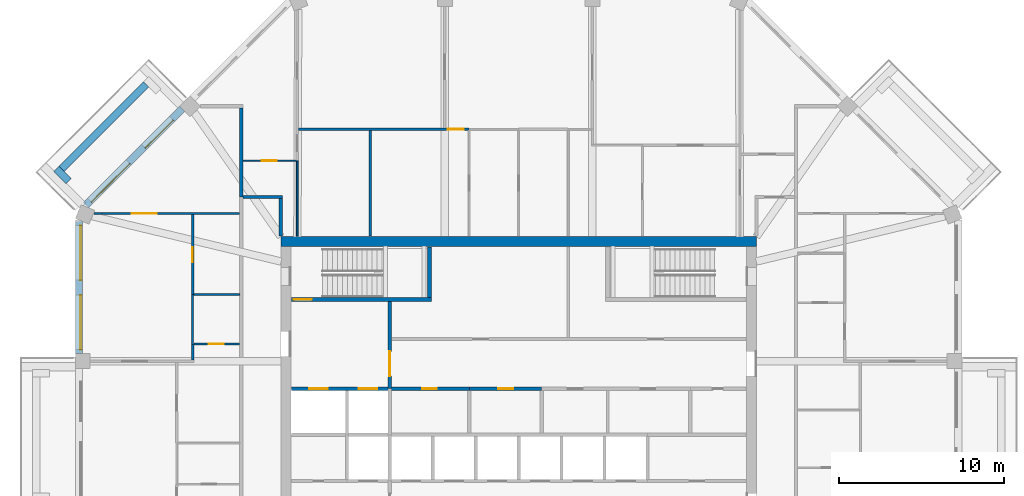
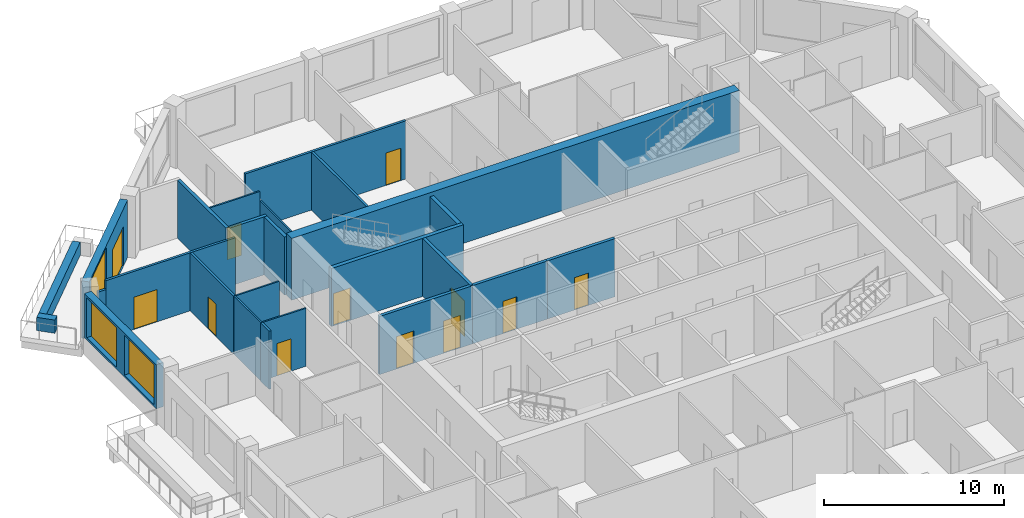
# One storey, part 7 of 12: 25 walls, 12 doors, 3 windows, 15 openings.
"""IFC4 building model written with IfcOpenShell, lengths in metres."""

from ifc_helpers import new_model, si_unit, direction, frame, frame_2d, origin, place, context, subcontext, project, spatial, rectangle, extrude, material, layer, layer_set, type_object, element, fill, save


model = new_model("IFC4")

# Units and contexts
model_context = context("Model", 3, precision=1e-05, world=origin(), true_north=direction((0.0, 1.0)))
body_context = subcontext(model_context, "Body", "Model", "MODEL_VIEW")
ifc_project = project(units=[si_unit("LENGTHUNIT", "METRE"), si_unit("AREAUNIT", "SQUARE_METRE"), si_unit("VOLUMEUNIT", "CUBIC_METRE"), si_unit("PLANEANGLEUNIT", "RADIAN"), si_unit("MASSUNIT", "GRAM", prefix="KILO")], contexts=[model_context])

# Site, building, storey
site_placement = place(None, origin())
site = spatial("IfcSite", under=ifc_project, at=site_placement, CompositionType="ELEMENT")
building_placement = place(site_placement, origin())
building = spatial("IfcBuilding", under=site, at=building_placement, Name="Msitu Wima Residences", CompositionType="ELEMENT")
storey_placement = place(building_placement, frame((0.0, 0.0, 218.10009765625)))
storey = spatial("IfcBuildingStorey", under=building, at=storey_placement, Name="L50", CompositionType="ELEMENT", Elevation=218.10009765625)

# Walls
ifc_material_1 = material(Name="Facing brick")
ifc_layer_1 = layer(ifc_material_1, 0.06494140625, Name="Facing brick")
ifc_material_2 = material(Name="Concrete C40/50", Category="concrete")
ifc_layer_2 = layer(ifc_material_2, 0.156005859375, Name="Concrete C40/50")
ifc_material_3 = material(Name="Waterproofing membrane")
ifc_layer_3 = layer(ifc_material_3, 0.00390625, Name="Waterproofing membrane")
ifc_material_4 = material(Name="Planting soil and planting")
ifc_layer_4 = layer(ifc_material_4, 0.22509765625, Name="Planting soil and planting")
ifc_layer_set_1 = layer_set([ifc_layer_1, ifc_layer_2, ifc_layer_3, ifc_layer_4], Name="Concrete C40/50")
wall_type_1 = type_object("IfcWallType", Name="Balcony planter PLANTER PL450", PredefinedType="USERDEFINED", material=ifc_layer_set_1)
wall_1_placement = place(storey_placement, frame((-22.572265625, 21.228759765625, 0.0), z_axis=(0.0, 0.0, 1.0), x_axis=(-0.707106781187, -0.707106781187, 0.0)))
element("IfcWall", 1, at=wall_1_placement, inside=storey, type_object=wall_type_1, Name="Balcony planter NW1 L50", ObjectType="PLANTER", PredefinedType="USERDEFINED", context=body_context, shape_type="SweptSolid", body=[
    extrude(rectangle(XDim=7.23828125, YDim=0.449951171875, at=frame_2d((3.619140625, 0.0))), origin(), (0.0, 0.0, 1.0), 0.89990234375),
])
wall_2_placement = place(storey_placement, frame((-27.26611328125, 15.3681640625, 0.0), z_axis=(0.0, 0.0, 1.0), x_axis=(-0.707223014731, 0.706990528533, 0.0)))
element("IfcWall", 2, at=wall_2_placement, inside=storey, type_object=wall_type_1, Name="Balcony planter NW1 L50", ObjectType="PLANTER", PredefinedType="USERDEFINED", context=body_context, shape_type="SweptSolid", body=[
    extrude(rectangle(XDim=1.050048828125, YDim=0.449951171875, at=frame_2d((0.52490234375, 0.0))), origin(), (0.0, 0.0, 1.0), 0.89990234375),
])

# Wall, openings, door, window
ifc_material_5 = material(Name="Brick (red buff mix)", Category="masonry")
ifc_layer_5 = layer(ifc_material_5, 0.449951171875)
ifc_layer_set_2 = layer_set([ifc_layer_5], Name="Brick (red buff mix)")
wall_type_2 = type_object("IfcWallType", Name="Brick infill wall BW450", PredefinedType="SOLIDWALL", material=ifc_layer_set_2)
wall_3_placement = place(storey_placement, frame((-20.380126953125, 19.743896484375, 0.0), z_axis=(0.0, 0.0, 1.0), x_axis=(-0.707106781187, -0.707106781187, 0.0)))
wall_3 = element("IfcWall", 3, at=wall_3_placement, inside=storey, type_object=wall_type_2, Name="Brick infill wall L50 NW1", PredefinedType="SOLIDWALL", context=body_context, shape_type="SweptSolid", body=[
    extrude(rectangle(XDim=8.251220703125, YDim=0.449951171875, at=frame_2d((4.12548828125, 0.0))), origin(), (0.0, 0.0, 1.0), 3.89990234375),
])
opening_1_placement = place(wall_3_placement, frame((0.86279296875, 0.0, 0.0)))
opening_1 = element("IfcOpeningElement", 4, at=opening_1_placement, cuts=wall_3, Name="Opening D50-51.005", PredefinedType="OPENING", context=body_context, shape_type="SweptSolid", body=[
    extrude(rectangle(XDim=2.39990234375, YDim=2.699951171875, at=frame_2d((1.199951171875, 1.35009765625))), frame((0.0, 0.23486328125, 0.0), z_axis=(0.0, -1.0, 0.0), x_axis=(1.0, 0.0, 0.0)), (0.0, 0.0, 1.0), 0.469970703125),
])
opening_2_placement = place(wall_3_placement, frame((4.57568359375, 0.0, 1.050048828125)))
opening_2 = element("IfcOpeningElement", 5, at=opening_2_placement, cuts=wall_3, Name="Opening W50-51.015", PredefinedType="OPENING", context=body_context, shape_type="SweptSolid", body=[
    extrude(rectangle(XDim=3.300048828125, YDim=2.699951171875, at=frame_2d((1.64990234375, 1.35009765625))), frame((0.0, 0.23486328125, 0.0), z_axis=(0.0, -1.0, 0.0), x_axis=(1.0, 0.0, 0.0)), (0.0, 0.0, 1.0), 0.469970703125),
])
ifc_material_6 = material(Name="Anodised aluminium, bronze finish, clear low-emissivity double glazing", Category="aluminium")
door_type_1 = type_object("IfcDoorType", Name="Balcony door D2400x2700", OperationType="SLIDING_TO_LEFT", PredefinedType="DOOR", material=ifc_material_6)
door_1_placement = place(opening_1_placement, origin())
door_1 = element("IfcDoor", 6, at=door_1_placement, inside=storey, type_object=door_type_1, Name="Balcony door L50 NW1", OperationType="SINGLE_SWING_LEFT", OverallHeight=2.699951171875, OverallWidth=2.39990234375, PredefinedType="DOOR", context=body_context, shape_type="SweptSolid", body=[
    extrude(rectangle(XDim=2.39990234375, YDim=2.699951171875, at=frame_2d((1.199951171875, 1.35009765625))), frame((0.0, 0.1298828125, 0.0), z_axis=(0.0, -1.0, 0.0), x_axis=(1.0, 0.0, 0.0)), (0.0, 0.0, 1.0), 0.050048828125),
])
fill(opening_1, door_1)
window_type = type_object("IfcWindowType", Name="Window W3300x2700", PartitioningType="DOUBLE_PANEL_VERTICAL", PredefinedType="WINDOW", material=ifc_material_6)
window_1_placement = place(opening_2_placement, origin())
window_1 = element("IfcWindow", 7, at=window_1_placement, inside=storey, type_object=window_type, Name="Window L50 NW1.2", OverallHeight=2.699951171875, OverallWidth=3.300048828125, PartitioningType="SINGLE_PANEL", PredefinedType="WINDOW", context=body_context, shape_type="SweptSolid", body=[
    extrude(rectangle(XDim=3.300048828125, YDim=2.699951171875, at=frame_2d((1.64990234375, 1.35009765625))), frame((0.0, 0.135009765625, 0.0), z_axis=(0.0, -1.0, 0.0), x_axis=(1.0, 0.0, 0.0)), (0.0, 0.0, 1.0), 0.06005859375),
])
fill(opening_2, window_1)

# Wall, openings, windows
wall_4_placement = place(storey_placement, frame((-26.625, 12.918701171875, 0.89990234375), z_axis=(0.0, 0.0, 1.0), x_axis=(0.0, -1.0, 0.0)))
wall_4 = element("IfcWall", 8, at=wall_4_placement, inside=storey, type_object=wall_type_2, Name="Brick infill wall L50 W0", PredefinedType="SOLIDWALL", context=body_context, shape_type="SweptSolid", body=[
    extrude(rectangle(XDim=8.0, YDim=0.449951171875, at=frame_2d((4.0, 0.0))), origin(), (0.0, 0.0, 1.0), 3.0),
])
opening_3_placement = place(wall_4_placement, frame((0.25, 0.0, 0.14990234375)))
opening_3 = element("IfcOpeningElement", 9, at=opening_3_placement, cuts=wall_4, Name="Opening W50-51.026", PredefinedType="OPENING", context=body_context, shape_type="SweptSolid", body=[
    extrude(rectangle(XDim=3.300048828125, YDim=2.699951171875, at=frame_2d((1.64990234375, 1.35009765625))), frame((0.0, 0.23486328125, 0.0), z_axis=(0.0, -1.0, 0.0), x_axis=(1.0, 0.0, 0.0)), (0.0, 0.0, 1.0), 0.469970703125),
])
opening_4_placement = place(wall_4_placement, frame((4.4501953125, 0.0, 0.14990234375)))
opening_4 = element("IfcOpeningElement", 10, at=opening_4_placement, cuts=wall_4, Name="Opening W50-51.027", PredefinedType="OPENING", context=body_context, shape_type="SweptSolid", body=[
    extrude(rectangle(XDim=3.300048828125, YDim=2.699951171875, at=frame_2d((1.64990234375, 1.35009765625))), frame((0.0, 0.23486328125, 0.0), z_axis=(0.0, -1.0, 0.0), x_axis=(1.0, 0.0, 0.0)), (0.0, 0.0, 1.0), 0.469970703125),
])
window_2_placement = place(opening_3_placement, origin())
window_2 = element("IfcWindow", 11, at=window_2_placement, inside=storey, type_object=window_type, Name="Window L50 W0.1", OverallHeight=2.699951171875, OverallWidth=3.300048828125, PartitioningType="SINGLE_PANEL", PredefinedType="WINDOW", context=body_context, shape_type="SweptSolid", body=[
    extrude(rectangle(XDim=3.300048828125, YDim=2.699951171875, at=frame_2d((1.64990234375, 1.35009765625))), frame((0.0, 0.135009765625, 0.0), z_axis=(0.0, -1.0, 0.0), x_axis=(1.0, 0.0, 0.0)), (0.0, 0.0, 1.0), 0.06005859375),
])
fill(opening_3, window_2)
window_3_placement = place(opening_4_placement, origin())
window_3 = element("IfcWindow", 12, at=window_3_placement, inside=storey, type_object=window_type, Name="Window L50 W0.2", OverallHeight=2.699951171875, OverallWidth=3.300048828125, PartitioningType="SINGLE_PANEL", PredefinedType="WINDOW", context=body_context, shape_type="SweptSolid", body=[
    extrude(rectangle(XDim=3.300048828125, YDim=2.699951171875, at=frame_2d((1.64990234375, 1.35009765625))), frame((0.0, 0.135009765625, 0.0), z_axis=(0.0, -1.0, 0.0), x_axis=(1.0, 0.0, 0.0)), (0.0, 0.0, 1.0), 0.06005859375),
])
fill(opening_4, window_3)

# Walls
ifc_material_7 = material(Name="Concrete C50/60", Category="concrete")
ifc_layer_6 = layer(ifc_material_7, 0.60009765625)
ifc_layer_set_3 = layer_set([ifc_layer_6], Name="Concrete C50/60")
wall_type_3 = type_object("IfcWallType", Name="Core wall CW600 C50/60", PredefinedType="SHEAR", material=ifc_layer_set_3)
wall_5_placement = place(storey_placement, frame((-14.39990234375, 11.699951171875, 0.0), z_axis=(0.0, 0.0, 1.0), x_axis=(1.0, 0.0, 0.0)))
element("IfcWall", 13, at=wall_5_placement, inside=storey, type_object=wall_type_3, Name="Core wall", PredefinedType="SHEAR", context=body_context, shape_type="SweptSolid", body=[
    extrude(rectangle(XDim=28.7998046875, YDim=0.60009765625, at=frame_2d((14.39990234375, 0.0))), origin(), (0.0, 0.0, 1.0), 4.199951171875),
])
ifc_material_8 = material(Name="Plaster")
ifc_layer_7 = layer(ifc_material_8, 0.011962890625, Name="Plaster")
ifc_material_9 = material(Name="Concrete blockwork", Category="masonry")
ifc_layer_8 = layer(ifc_material_9, 0.176025390625, Name="Concrete blockwork")
ifc_layer_9 = layer(ifc_material_8, 0.011962890625, Name="Plaster")
ifc_layer_set_4 = layer_set([ifc_layer_7, ifc_layer_8, ifc_layer_9], Name="Concrete blockwork")
wall_type_4 = type_object("IfcWallType", Name="Corridor wall FW200", PredefinedType="PARTITIONING", material=ifc_layer_set_4)
wall_6_placement = place(storey_placement, frame((-16.699951171875, 14.39990234375, 0.0), z_axis=(0.0, 0.0, 1.0), x_axis=(1.0, 0.0, 0.0)))
element("IfcWall", 14, at=wall_6_placement, inside=storey, type_object=wall_type_4, Name="Corridor wall", PredefinedType="PARTITIONING", context=body_context, shape_type="SweptSolid", body=[
    extrude(rectangle(XDim=2.39990234375, YDim=0.199951171875, at=frame_2d((1.199951171875, 0.0))), origin(), (0.0, 0.0, 1.0), 3.949951171875),
])
wall_7_placement = place(storey_placement, frame((-14.39990234375, 12.030029296875, 0.0), z_axis=(0.0, 0.0, 1.0), x_axis=(0.0, 1.0, 0.0)))
element("IfcWall", 15, at=wall_7_placement, inside=storey, type_object=wall_type_4, Name="Corridor wall", PredefinedType="PARTITIONING", context=body_context, shape_type="SweptSolid", body=[
    extrude(rectangle(XDim=2.27001953125, YDim=0.199951171875, at=frame_2d((1.135009765625, 0.0))), origin(), (0.0, 0.0, 1.0), 3.949951171875),
])

# Wall, opening, door
wall_8_placement = place(storey_placement, frame((-7.800048828125, 2.800048828125, 0.0), z_axis=(0.0, 0.0, 1.0), x_axis=(1.0, 0.0, 0.0)))
wall_8 = element("IfcWall", 16, at=wall_8_placement, inside=storey, type_object=wall_type_4, Name="Corridor wall", PredefinedType="PARTITIONING", context=body_context, shape_type="SweptSolid", body=[
    extrude(rectangle(XDim=4.820068359375, YDim=0.199951171875, at=frame_2d((2.41015625, 0.0))), origin(), (0.0, 0.0, 1.0), 3.949951171875),
])
opening_5_placement = place(wall_8_placement, frame((1.949951171875, 0.0, 0.0)))
opening_5 = element("IfcOpeningElement", 17, at=opening_5_placement, cuts=wall_8, Name="Opening D50-51.074", PredefinedType="OPENING", context=body_context, shape_type="SweptSolid", body=[
    extrude(rectangle(XDim=0.89990234375, YDim=2.199951171875, at=frame_2d((0.449951171875, 1.10009765625))), frame((0.0, 0.10986328125, 0.0), z_axis=(0.0, -1.0, 0.0), x_axis=(1.0, 0.0, 0.0)), (0.0, 0.0, 1.0), 0.219970703125),
])
ifc_material_10 = material(Name="Timber flush door", Category="wood")
door_type_2 = type_object("IfcDoorType", Name="Service door D05 900x2200", OperationType="SINGLE_SWING_LEFT", PredefinedType="DOOR", material=ifc_material_10)
door_2_placement = place(opening_5_placement, origin())
door_2 = element("IfcDoor", 18, at=door_2_placement, inside=storey, type_object=door_type_2, Name="Service door", OperationType="SINGLE_SWING_RIGHT", OverallHeight=2.199951171875, OverallWidth=0.89990234375, PredefinedType="DOOR", context=body_context, shape_type="SweptSolid", body=[
    extrude(rectangle(XDim=0.89990234375, YDim=2.199951171875, at=frame_2d((0.449951171875, 1.10009765625))), frame((0.0, 0.02490234375, 0.0), z_axis=(0.0, -1.0, 0.0), x_axis=(1.0, 0.0, 0.0)), (0.0, 0.0, 1.0), 0.050048828125),
])
fill(opening_5, door_2)

wall_9_placement = place(storey_placement, frame((-7.800048828125, 2.800048828125, 0.0), z_axis=(0.0, 0.0, 1.0), x_axis=(0.0, 1.0, 0.0)))
wall_9 = element("IfcWall", 19, at=wall_9_placement, inside=storey, type_object=wall_type_4, Name="Corridor wall", PredefinedType="PARTITIONING", context=body_context, shape_type="SweptSolid", body=[
    extrude(rectangle(XDim=5.27490234375, YDim=0.199951171875, at=frame_2d((2.637451171875, 0.0))), origin(), (0.0, 0.0, 1.0), 3.949951171875),
])
opening_6_placement = place(wall_9_placement, frame((0.75, 0.0, 0.0)))
opening_6 = element("IfcOpeningElement", 20, at=opening_6_placement, cuts=wall_9, Name="Opening D50-51.062", PredefinedType="OPENING", context=body_context, shape_type="SweptSolid", body=[
    extrude(rectangle(XDim=1.5, YDim=2.39990234375, at=frame_2d((0.75, 1.199951171875))), frame((0.0, 0.10986328125, 0.0), z_axis=(0.0, -1.0, 0.0), x_axis=(1.0, 0.0, 0.0)), (0.0, 0.0, 1.0), 0.219970703125),
])
ifc_material_11 = material(Name="Steel framed glazed door, fire resisting", Category="steel")
door_type_3 = type_object("IfcDoorType", Name="Lobby door D07 1500x2400", OperationType="DOUBLE_DOOR_SINGLE_SWING", PredefinedType="DOOR", material=ifc_material_11)
door_3_placement = place(opening_6_placement, origin())
door_3 = element("IfcDoor", 21, at=door_3_placement, inside=storey, type_object=door_type_3, Name="Lobby door", OperationType="DOUBLE_DOOR_SINGLE_SWING", OverallHeight=2.39990234375, OverallWidth=1.5, PredefinedType="DOOR", context=body_context, shape_type="SweptSolid", body=[
    extrude(rectangle(XDim=1.5, YDim=2.39990234375, at=frame_2d((0.75, 1.199951171875))), frame((0.0, 0.02490234375, 0.0), z_axis=(0.0, -1.0, 0.0), x_axis=(1.0, 0.0, 0.0)), (0.0, 0.0, 1.0), 0.050048828125),
])
fill(opening_6, door_3)

# Wall
ifc_layer_10 = layer(ifc_material_8, 0.011962890625, Name="Plaster")
ifc_layer_11 = layer(ifc_material_9, 0.1259765625, Name="Concrete blockwork")
ifc_layer_12 = layer(ifc_material_8, 0.011962890625, Name="Plaster")
ifc_layer_set_5 = layer_set([ifc_layer_10, ifc_layer_11, ifc_layer_12], Name="Concrete blockwork")
wall_type_5 = type_object("IfcWallType", Name="Partition PW150", PredefinedType="PARTITIONING", material=ifc_layer_set_5)
wall_10_placement = place(storey_placement, frame((-25.731201171875, 13.406005859375, 0.0), z_axis=(0.0, 0.0, 1.0), x_axis=(1.0, 0.0, 0.0)))
element("IfcWall", 22, at=wall_10_placement, inside=storey, type_object=wall_type_5, Name="Partition", PredefinedType="PARTITIONING", context=body_context, shape_type="SweptSolid", body=[
    extrude(rectangle(XDim=0.507080078125, YDim=0.14990234375, at=frame_2d((0.25341796875, 0.0))), origin(), (0.0, 0.0, 1.0), 3.349853515625),
])

# Wall, opening, door
wall_11_placement = place(storey_placement, frame((-25.22412109375, 13.406005859375, 0.0), z_axis=(0.0, 0.0, 1.0), x_axis=(1.0, 0.0, 0.0)))
wall_11 = element("IfcWall", 23, at=wall_11_placement, inside=storey, type_object=wall_type_5, Name="Partition", PredefinedType="PARTITIONING", context=body_context, shape_type="SweptSolid", body=[
    extrude(rectangle(XDim=8.32421875, YDim=0.14990234375, at=frame_2d((4.162109375, 0.0))), origin(), (0.0, 0.0, 1.0), 3.949951171875),
])
opening_7_placement = place(wall_11_placement, frame((1.79296875, 0.0, 0.0)))
opening_7 = element("IfcOpeningElement", 24, at=opening_7_placement, cuts=wall_11, Name="Opening D50-51.043", PredefinedType="OPENING", context=body_context, shape_type="SweptSolid", body=[
    extrude(rectangle(XDim=1.5, YDim=2.199951171875, at=frame_2d((0.75, 1.10009765625))), frame((0.0, 0.0849609375, 0.0), z_axis=(0.0, -1.0, 0.0), x_axis=(1.0, 0.0, 0.0)), (0.0, 0.0, 1.0), 0.169921875),
])
ifc_material_12 = material(Name="Timber double door", Category="wood")
door_type_4 = type_object("IfcDoorType", Name="Double door D04 1500x2200", OperationType="DOUBLE_DOOR_SINGLE_SWING", PredefinedType="DOOR", material=ifc_material_12)
door_4_placement = place(opening_7_placement, origin())
door_4 = element("IfcDoor", 25, at=door_4_placement, inside=storey, type_object=door_type_4, Name="Double door", OperationType="DOUBLE_DOOR_SINGLE_SWING", OverallHeight=2.199951171875, OverallWidth=1.5, PredefinedType="DOOR", context=body_context, shape_type="SweptSolid", body=[
    extrude(rectangle(XDim=1.5, YDim=2.199951171875, at=frame_2d((0.75, 1.10009765625))), frame((0.0, 0.02490234375, 0.0), z_axis=(0.0, -1.0, 0.0), x_axis=(1.0, 0.0, 0.0)), (0.0, 0.0, 1.0), 0.050048828125),
])
fill(opening_7, door_4)

# Wall
wall_12_placement = place(storey_placement, frame((-19.75, 4.543701171875, 0.0), z_axis=(0.0, 0.0, 1.0), x_axis=(0.0, 1.0, 0.0)))
element("IfcWall", 26, at=wall_12_placement, inside=storey, type_object=wall_type_5, Name="Partition", PredefinedType="PARTITIONING", context=body_context, shape_type="SweptSolid", body=[
    extrude(rectangle(XDim=0.936279296875, YDim=0.14990234375, at=frame_2d((0.46826171875, 0.0))), origin(), (0.0, 0.0, 1.0), 3.949951171875),
])

# Wall, opening, door
wall_13_placement = place(storey_placement, frame((-19.75, 8.5, 0.0), z_axis=(0.0, 0.0, 1.0), x_axis=(0.0, 1.0, 0.0)))
wall_13 = element("IfcWall", 27, at=wall_13_placement, inside=storey, type_object=wall_type_5, Name="Partition", PredefinedType="PARTITIONING", context=body_context, shape_type="SweptSolid", body=[
    extrude(rectangle(XDim=4.830810546875, YDim=0.14990234375, at=frame_2d((2.41552734375, 0.0))), origin(), (0.0, 0.0, 1.0), 3.949951171875),
])
opening_8_placement = place(wall_13_placement, frame((1.949951171875, 0.0, 0.0)))
opening_8 = element("IfcOpeningElement", 28, at=opening_8_placement, cuts=wall_13, Name="Opening D50-51.037", PredefinedType="OPENING", context=body_context, shape_type="SweptSolid", body=[
    extrude(rectangle(XDim=0.89990234375, YDim=2.199951171875, at=frame_2d((0.449951171875, 1.10009765625))), frame((0.0, 0.0849609375, 0.0), z_axis=(0.0, -1.0, 0.0), x_axis=(1.0, 0.0, 0.0)), (0.0, 0.0, 1.0), 0.169921875),
])
door_5_placement = place(opening_8_placement, origin())
door_5 = element("IfcDoor", 29, at=door_5_placement, inside=storey, type_object=door_type_2, Name="Service door", OperationType="SINGLE_SWING_RIGHT", OverallHeight=2.199951171875, OverallWidth=0.89990234375, PredefinedType="DOOR", context=body_context, shape_type="SweptSolid", body=[
    extrude(rectangle(XDim=0.89990234375, YDim=2.199951171875, at=frame_2d((0.449951171875, 1.10009765625))), frame((0.0, 0.02490234375, 0.0), z_axis=(0.0, -1.0, 0.0), x_axis=(1.0, 0.0, 0.0)), (0.0, 0.0, 1.0), 0.050048828125),
])
fill(opening_8, door_5)

wall_14_placement = place(storey_placement, frame((-13.330810546875, 18.5, 0.0), z_axis=(0.0, 0.0, 1.0), x_axis=(1.0, 0.0, 0.0)))
wall_14 = element("IfcWall", 30, at=wall_14_placement, inside=storey, type_object=wall_type_5, Name="Partition", PredefinedType="PARTITIONING", context=body_context, shape_type="SweptSolid", body=[
    extrude(rectangle(XDim=10.330810546875, YDim=0.14990234375, at=frame_2d((5.16552734375, 0.0))), origin(), (0.0, 0.0, 1.0), 3.949951171875),
])
opening_9_placement = place(wall_14_placement, frame((9.050048828125, 0.0, 0.0)))
opening_9 = element("IfcOpeningElement", 31, at=opening_9_placement, cuts=wall_14, Name="Opening D50-51.031", PredefinedType="OPENING", context=body_context, shape_type="SweptSolid", body=[
    extrude(rectangle(XDim=0.949951171875, YDim=2.199951171875, at=frame_2d((0.47509765625, 1.10009765625))), frame((0.0, 0.0849609375, 0.0), z_axis=(0.0, -1.0, 0.0), x_axis=(1.0, 0.0, 0.0)), (0.0, 0.0, 1.0), 0.169921875),
])
door_type_5 = type_object("IfcDoorType", Name="Room door D12 950x2200", OperationType="SINGLE_SWING_LEFT", PredefinedType="DOOR", material=ifc_material_10)
door_6_placement = place(opening_9_placement, origin())
door_6 = element("IfcDoor", 32, at=door_6_placement, inside=storey, type_object=door_type_5, Name="Room door", OperationType="SINGLE_SWING_LEFT", OverallHeight=2.199951171875, OverallWidth=0.949951171875, PredefinedType="DOOR", context=body_context, shape_type="SweptSolid", body=[
    extrude(rectangle(XDim=0.949951171875, YDim=2.199951171875, at=frame_2d((0.47509765625, 1.10009765625))), frame((0.0, 0.02490234375, 0.0), z_axis=(0.0, -1.0, 0.0), x_axis=(1.0, 0.0, 0.0)), (0.0, 0.0, 1.0), 0.050048828125),
])
fill(opening_9, door_6)

# Walls
wall_15_placement = place(storey_placement, frame((-9.0, 12.030029296875, 0.0), z_axis=(0.0, 0.0, 1.0), x_axis=(0.0, 1.0, 0.0)))
element("IfcWall", 33, at=wall_15_placement, inside=storey, type_object=wall_type_5, Name="Partition", PredefinedType="PARTITIONING", context=body_context, shape_type="SweptSolid", body=[
    extrude(rectangle(XDim=6.39501953125, YDim=0.14990234375, at=frame_2d((3.197509765625, 0.0))), origin(), (0.0, 0.0, 1.0), 3.949951171875),
])
ifc_layer_13 = layer(ifc_material_8, 0.011962890625, Name="Plaster")
ifc_material_13 = material(Name="Dense concrete blockwork", Category="masonry")
ifc_layer_14 = layer(ifc_material_13, 0.176025390625, Name="Dense concrete blockwork")
ifc_layer_15 = layer(ifc_material_8, 0.011962890625, Name="Plaster")
ifc_layer_set_6 = layer_set([ifc_layer_13, ifc_layer_14, ifc_layer_15], Name="Dense concrete blockwork")
wall_type_6 = type_object("IfcWallType", Name="Party wall PW200", PredefinedType="PARTITIONING", material=ifc_layer_set_6)
wall_16_placement = place(storey_placement, frame((-16.800048828125, 14.39990234375, 0.0), z_axis=(0.0, 0.0, 1.0), x_axis=(0.0, 1.0, 0.0)))
element("IfcWall", 34, at=wall_16_placement, inside=storey, type_object=wall_type_6, Name="Party wall", PredefinedType="PARTITIONING", context=body_context, shape_type="SweptSolid", body=[
    extrude(rectangle(XDim=5.403076171875, YDim=0.199951171875, at=frame_2d((2.70166015625, 0.0))), origin(), (0.0, 0.0, 1.0), 3.949951171875),
])

# Wall, opening, door
ifc_layer_16 = layer(ifc_material_8, 0.011962890625, Name="Plaster")
ifc_material_14 = material(Name="Reinforced concrete blockwork", Category="masonry")
ifc_layer_17 = layer(ifc_material_14, 0.176025390625, Name="Reinforced concrete blockwork")
ifc_layer_18 = layer(ifc_material_8, 0.011962890625, Name="Plaster")
ifc_layer_set_7 = layer_set([ifc_layer_16, ifc_layer_17, ifc_layer_18], Name="Reinforced concrete blockwork")
wall_type_7 = type_object("IfcWallType", Name="Plant and riser wall PL200", PredefinedType="PARTITIONING", material=ifc_layer_set_7)
wall_17_placement = place(storey_placement, frame((-2.97998046875, 2.800048828125, 0.0), z_axis=(0.0, 0.0, 1.0), x_axis=(1.0, 0.0, 0.0)))
wall_17 = element("IfcWall", 35, at=wall_17_placement, inside=storey, type_object=wall_type_7, Name="Plant and riser wall", PredefinedType="PARTITIONING", context=body_context, shape_type="SweptSolid", body=[
    extrude(rectangle(XDim=4.35986328125, YDim=0.199951171875, at=frame_2d((2.179931640625, 0.0))), origin(), (0.0, 0.0, 1.0), 3.949951171875),
])
opening_10_placement = place(wall_17_placement, frame((1.75, 0.0, 0.0)))
opening_10 = element("IfcOpeningElement", 36, at=opening_10_placement, cuts=wall_17, Name="Opening D50-51.075", PredefinedType="OPENING", context=body_context, shape_type="SweptSolid", body=[
    extrude(rectangle(XDim=0.89990234375, YDim=2.199951171875, at=frame_2d((0.449951171875, 1.10009765625))), frame((0.0, 0.10986328125, 0.0), z_axis=(0.0, -1.0, 0.0), x_axis=(1.0, 0.0, 0.0)), (0.0, 0.0, 1.0), 0.219970703125),
])
door_7_placement = place(opening_10_placement, origin())
door_7 = element("IfcDoor", 37, at=door_7_placement, inside=storey, type_object=door_type_2, Name="Service door", OperationType="SINGLE_SWING_LEFT", OverallHeight=2.199951171875, OverallWidth=0.89990234375, PredefinedType="DOOR", context=body_context, shape_type="SweptSolid", body=[
    extrude(rectangle(XDim=0.89990234375, YDim=2.199951171875, at=frame_2d((0.449951171875, 1.10009765625))), frame((0.0, 0.02490234375, 0.0), z_axis=(0.0, -1.0, 0.0), x_axis=(1.0, 0.0, 0.0)), (0.0, 0.0, 1.0), 0.050048828125),
])
fill(opening_10, door_7)

# Wall, openings, doors
ifc_material_15 = material(Name="Fire-rated board")
ifc_layer_19 = layer(ifc_material_15, 0.02490234375, Name="Fire-rated board")
ifc_material_16 = material(Name="Light-gauge stud framing with mineral wool")
ifc_layer_20 = layer(ifc_material_16, 0.14990234375, Name="Light-gauge stud framing with mineral wool")
ifc_layer_21 = layer(ifc_material_15, 0.02490234375, Name="Fire-rated board")
ifc_layer_set_8 = layer_set([ifc_layer_19, ifc_layer_20, ifc_layer_21], Name="Light-gauge stud framing with mineral wool")
wall_type_8 = type_object("IfcWallType", Name="Shaft wall SH200", PredefinedType="PARTITIONING", material=ifc_layer_set_8)
wall_18_placement = place(storey_placement, frame((-13.77001953125, 2.800048828125, 0.0), z_axis=(0.0, 0.0, 1.0), x_axis=(1.0, 0.0, 0.0)))
wall_18 = element("IfcWall", 38, at=wall_18_placement, inside=storey, type_object=wall_type_8, Name="Shaft wall", PredefinedType="PARTITIONING", context=body_context, shape_type="SweptSolid", body=[
    extrude(rectangle(XDim=5.969970703125, YDim=0.199951171875, at=frame_2d((2.98486328125, 0.0))), origin(), (0.0, 0.0, 1.0), 3.949951171875),
])
opening_11_placement = place(wall_18_placement, frame((1.10009765625, 0.0, 0.0)))
opening_11 = element("IfcOpeningElement", 39, at=opening_11_placement, cuts=wall_18, Name="Opening LD", PredefinedType="OPENING", context=body_context, shape_type="SweptSolid", body=[
    extrude(rectangle(XDim=1.10009765625, YDim=2.199951171875, at=frame_2d((0.550048828125, 1.10009765625))), frame((0.0, 0.10986328125, 0.0), z_axis=(0.0, -1.0, 0.0), x_axis=(1.0, 0.0, 0.0)), (0.0, 0.0, 1.0), 0.219970703125),
])
opening_12_placement = place(wall_18_placement, frame((4.10009765625, 0.0, 0.0)))
opening_12 = element("IfcOpeningElement", 40, at=opening_12_placement, cuts=wall_18, Name="Opening LD", PredefinedType="OPENING", context=body_context, shape_type="SweptSolid", body=[
    extrude(rectangle(XDim=1.10009765625, YDim=2.199951171875, at=frame_2d((0.550048828125, 1.10009765625))), frame((0.0, 0.10986328125, 0.0), z_axis=(0.0, -1.0, 0.0), x_axis=(1.0, 0.0, 0.0)), (0.0, 0.0, 1.0), 0.219970703125),
])
ifc_material_17 = material(Name="Stainless steel centre-opening landing door, rated", Category="steel")
door_type_6 = type_object("IfcDoorType", Name="Lift landing door LD 1100x2200", OperationType="DOUBLE_DOOR_SLIDING", PredefinedType="DOOR", material=ifc_material_17)
door_8_placement = place(opening_11_placement, origin())
door_8 = element("IfcDoor", 41, at=door_8_placement, inside=storey, type_object=door_type_6, Name="Lift landing door LD1", OperationType="DOUBLE_DOOR_SLIDING", OverallHeight=2.199951171875, OverallWidth=1.10009765625, PredefinedType="DOOR", context=body_context, shape_type="SweptSolid", body=[
    extrude(rectangle(XDim=1.10009765625, YDim=2.199951171875, at=frame_2d((0.550048828125, 1.10009765625))), frame((0.0, 0.02490234375, 0.0), z_axis=(0.0, -1.0, 0.0), x_axis=(1.0, 0.0, 0.0)), (0.0, 0.0, 1.0), 0.050048828125),
])
fill(opening_11, door_8)
door_9_placement = place(opening_12_placement, origin())
door_9 = element("IfcDoor", 42, at=door_9_placement, inside=storey, type_object=door_type_6, Name="Lift landing door LD2", OperationType="DOUBLE_DOOR_SLIDING", OverallHeight=2.199951171875, OverallWidth=1.10009765625, PredefinedType="DOOR", context=body_context, shape_type="SweptSolid", body=[
    extrude(rectangle(XDim=1.10009765625, YDim=2.199951171875, at=frame_2d((0.550048828125, 1.10009765625))), frame((0.0, 0.02490234375, 0.0), z_axis=(0.0, -1.0, 0.0), x_axis=(1.0, 0.0, 0.0)), (0.0, 0.0, 1.0), 0.050048828125),
])
fill(opening_12, door_9)

# Wall, opening, door
ifc_layer_22 = layer(ifc_material_7, 0.25)
ifc_layer_set_9 = layer_set([ifc_layer_22], Name="Concrete C50/60")
wall_type_9 = type_object("IfcWallType", Name="Stair enclosure wall SW250", PredefinedType="SHEAR", material=ifc_layer_set_9)
wall_19_placement = place(storey_placement, frame((-13.77001953125, 8.199951171875, 0.0), z_axis=(0.0, 0.0, 1.0), x_axis=(1.0, 0.0, 0.0)))
wall_19 = element("IfcWall", 43, at=wall_19_placement, inside=storey, type_object=wall_type_9, Name="Stair enclosure wall", PredefinedType="SHEAR", context=body_context, shape_type="SweptSolid", body=[
    extrude(rectangle(XDim=8.4951171875, YDim=0.25, at=frame_2d((4.24755859375, 0.0))), origin(), (0.0, 0.0, 1.0), 3.949951171875),
])
opening_13_placement = place(wall_19_placement, frame((0.14990234375, 0.0, 0.0)))
opening_13 = element("IfcOpeningElement", 44, at=opening_13_placement, cuts=wall_19, Name="Opening D50-51.081", PredefinedType="OPENING", context=body_context, shape_type="SweptSolid", body=[
    extrude(rectangle(XDim=1.10009765625, YDim=2.199951171875, at=frame_2d((0.550048828125, 1.10009765625))), frame((0.0, 0.135009765625, 0.0), z_axis=(0.0, -1.0, 0.0), x_axis=(1.0, 0.0, 0.0)), (0.0, 0.0, 1.0), 0.27001953125),
])
ifc_material_18 = material(Name="Steel door, fire resisting, panic bar", Category="steel")
door_type_7 = type_object("IfcDoorType", Name="Stair door D06 1100x2200", OperationType="SINGLE_SWING_LEFT", PredefinedType="DOOR", material=ifc_material_18)
door_10_placement = place(opening_13_placement, origin())
door_10 = element("IfcDoor", 45, at=door_10_placement, inside=storey, type_object=door_type_7, Name="Stair door", OperationType="SINGLE_SWING_LEFT", OverallHeight=2.199951171875, OverallWidth=1.10009765625, PredefinedType="DOOR", context=body_context, shape_type="SweptSolid", body=[
    extrude(rectangle(XDim=1.10009765625, YDim=2.199951171875, at=frame_2d((0.550048828125, 1.10009765625))), frame((0.0, 0.02490234375, 0.0), z_axis=(0.0, -1.0, 0.0), x_axis=(1.0, 0.0, 0.0)), (0.0, 0.0, 1.0), 0.050048828125),
])
fill(opening_13, door_10)

# Walls
wall_20_placement = place(storey_placement, frame((-5.39990234375, 8.324951171875, 0.0), z_axis=(0.0, 0.0, 1.0), x_axis=(0.0, 1.0, 0.0)))
element("IfcWall", 46, at=wall_20_placement, inside=storey, type_object=wall_type_9, Name="Stair enclosure wall", PredefinedType="SHEAR", context=body_context, shape_type="SweptSolid", body=[
    extrude(rectangle(XDim=3.045166015625, YDim=0.25, at=frame_2d((1.5224609375, 0.0))), origin(), (0.0, 0.0, 1.0), 3.949951171875),
])
ifc_material_19 = material(Name="Ceramic tiles")
ifc_layer_23 = layer(ifc_material_19, 0.008056640625, Name="Ceramic tiles")
ifc_material_20 = material(Name="Moisture-resistant board")
ifc_layer_24 = layer(ifc_material_20, 0.012451171875, Name="Moisture-resistant board")
ifc_layer_25 = layer(ifc_material_16, 0.06689453125, Name="Light-gauge stud framing with mineral wool")
ifc_layer_26 = layer(ifc_material_20, 0.012451171875, Name="Moisture-resistant board")
ifc_layer_set_10 = layer_set([ifc_layer_23, ifc_layer_24, ifc_layer_25, ifc_layer_26], Name="Light-gauge stud framing with mineral wool")
wall_type_10 = type_object("IfcWallType", Name="Wet wall PW100", PredefinedType="PARTITIONING", material=ifc_layer_set_10)
wall_21_placement = place(storey_placement, frame((-19.75, 5.47998046875, 0.0), z_axis=(0.0, 0.0, 1.0), x_axis=(0.0, 1.0, 0.0)))
element("IfcWall", 47, at=wall_21_placement, inside=storey, type_object=wall_type_10, Name="Wet wall", PredefinedType="PARTITIONING", context=body_context, shape_type="SweptSolid", body=[
    extrude(rectangle(XDim=3.02001953125, YDim=0.10009765625, at=frame_2d((1.510009765625, 0.0))), origin(), (0.0, 0.0, 1.0), 3.949951171875),
])

# Wall, opening, door
wall_22_placement = place(storey_placement, frame((-19.675048828125, 5.5, 0.0), z_axis=(0.0, 0.0, 1.0), x_axis=(1.0, 0.0, 0.0)))
wall_22 = element("IfcWall", 48, at=wall_22_placement, inside=storey, type_object=wall_type_10, Name="Wet wall", PredefinedType="PARTITIONING", context=body_context, shape_type="SweptSolid", body=[
    extrude(rectangle(XDim=2.775146484375, YDim=0.10009765625, at=frame_2d((1.3876953125, 0.0))), origin(), (0.0, 0.0, 1.0), 3.949951171875),
])
opening_14_placement = place(wall_22_placement, frame((0.89990234375, 0.0, 0.0)))
opening_14 = element("IfcOpeningElement", 49, at=opening_14_placement, cuts=wall_22, Name="Opening D50-51.045", PredefinedType="OPENING", context=body_context, shape_type="SweptSolid", body=[
    extrude(rectangle(XDim=0.89990234375, YDim=2.199951171875, at=frame_2d((0.449951171875, 1.10009765625))), frame((0.0, 0.06005859375, 0.0), z_axis=(0.0, -1.0, 0.0), x_axis=(1.0, 0.0, 0.0)), (0.0, 0.0, 1.0), 0.1201171875),
])
door_11_placement = place(opening_14_placement, origin())
door_11 = element("IfcDoor", 50, at=door_11_placement, inside=storey, type_object=door_type_2, Name="Service door", OperationType="SINGLE_SWING_RIGHT", OverallHeight=2.199951171875, OverallWidth=0.89990234375, PredefinedType="DOOR", context=body_context, shape_type="SweptSolid", body=[
    extrude(rectangle(XDim=0.89990234375, YDim=2.199951171875, at=frame_2d((0.449951171875, 1.10009765625))), frame((0.0, 0.02490234375, 0.0), z_axis=(0.0, -1.0, 0.0), x_axis=(1.0, 0.0, 0.0)), (0.0, 0.0, 1.0), 0.050048828125),
])
fill(opening_14, door_11)

# Wall
wall_23_placement = place(storey_placement, frame((-19.675048828125, 8.5, 0.0), z_axis=(0.0, 0.0, 1.0), x_axis=(1.0, 0.0, 0.0)))
element("IfcWall", 51, at=wall_23_placement, inside=storey, type_object=wall_type_10, Name="Wet wall", PredefinedType="PARTITIONING", context=body_context, shape_type="SweptSolid", body=[
    extrude(rectangle(XDim=2.775146484375, YDim=0.10009765625, at=frame_2d((1.3876953125, 0.0))), origin(), (0.0, 0.0, 1.0), 3.949951171875),
])

# Wall, opening, door
wall_24_placement = place(storey_placement, frame((-16.699951171875, 16.60009765625, 0.0), z_axis=(0.0, 0.0, 1.0), x_axis=(1.0, 0.0, 0.0)))
wall_24 = element("IfcWall", 52, at=wall_24_placement, inside=storey, type_object=wall_type_10, Name="Wet wall", PredefinedType="PARTITIONING", context=body_context, shape_type="SweptSolid", body=[
    extrude(rectangle(XDim=3.218994140625, YDim=0.10009765625, at=frame_2d((1.609375, 0.0))), origin(), (0.0, 0.0, 1.0), 3.949951171875),
])
opening_15_placement = place(wall_24_placement, frame((1.14990234375, 0.0, 0.0)))
opening_15 = element("IfcOpeningElement", 53, at=opening_15_placement, cuts=wall_24, Name="Opening D50-51.026", PredefinedType="OPENING", context=body_context, shape_type="SweptSolid", body=[
    extrude(rectangle(XDim=0.89990234375, YDim=2.199951171875, at=frame_2d((0.449951171875, 1.10009765625))), frame((0.0, 0.06005859375, 0.0), z_axis=(0.0, -1.0, 0.0), x_axis=(1.0, 0.0, 0.0)), (0.0, 0.0, 1.0), 0.1201171875),
])
ifc_material_21 = material(Name="Timber flush door, moisture resistant", Category="wood")
door_type_8 = type_object("IfcDoorType", Name="Bathroom door D03 900x2200", OperationType="SINGLE_SWING_LEFT", PredefinedType="DOOR", material=ifc_material_21)
door_12_placement = place(opening_15_placement, origin())
door_12 = element("IfcDoor", 54, at=door_12_placement, inside=storey, type_object=door_type_8, Name="Bathroom door", OperationType="SINGLE_SWING_RIGHT", OverallHeight=2.199951171875, OverallWidth=0.89990234375, PredefinedType="DOOR", context=body_context, shape_type="SweptSolid", body=[
    extrude(rectangle(XDim=0.89990234375, YDim=2.199951171875, at=frame_2d((0.449951171875, 1.10009765625))), frame((0.0, 0.02490234375, 0.0), z_axis=(0.0, -1.0, 0.0), x_axis=(1.0, 0.0, 0.0)), (0.0, 0.0, 1.0), 0.050048828125),
])
fill(opening_15, door_12)

# Wall
wall_25_placement = place(storey_placement, frame((-13.406005859375, 12.030029296875, 0.0), z_axis=(0.0, 0.0, 1.0), x_axis=(0.0, 1.0, 0.0)))
element("IfcWall", 55, at=wall_25_placement, inside=storey, type_object=wall_type_10, Name="Wet wall", PredefinedType="PARTITIONING", context=body_context, shape_type="SweptSolid", body=[
    extrude(rectangle(XDim=4.570068359375, YDim=0.10009765625, at=frame_2d((2.28515625, 0.0))), origin(), (0.0, 0.0, 1.0), 3.2998046875),
])

save(model, "model.ifc")
